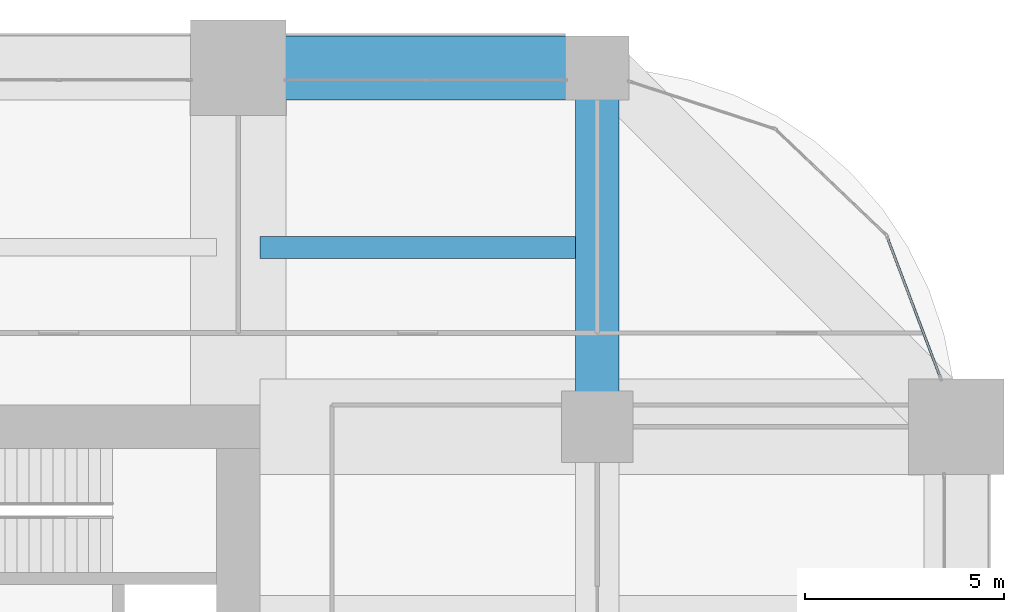
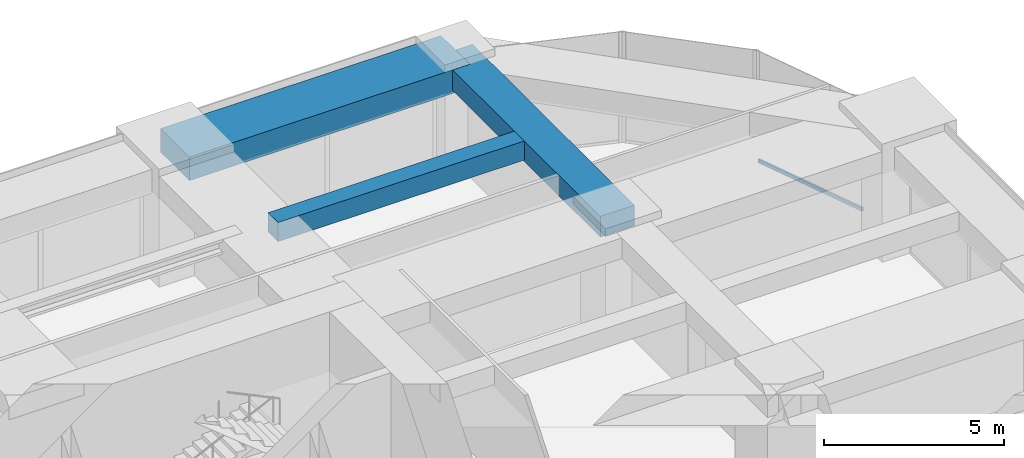
# One storey, part 34 of 43: 3 beams, 1 member, 1 element without a shape of its own.
"""IFC4 building model written with IfcOpenShell, lengths in metres."""

from ifc_helpers import new_model, si_unit, direction, frame, origin, origin_2d, place, context, subcontext, project, spatial, rectangle, hollow_rectangle, extrude, material, material_profile, profile_set, type_object, element, aggregate, save


model = new_model("IFC4")

# Units and contexts
model_context = context("Model", 3, precision=1e-05, world=origin(), true_north=direction((0.0, 1.0)))
body_context = subcontext(model_context, "Body", "Model", "MODEL_VIEW")
ifc_project = project(units=[si_unit("LENGTHUNIT", "METRE"), si_unit("AREAUNIT", "SQUARE_METRE"), si_unit("VOLUMEUNIT", "CUBIC_METRE"), si_unit("PLANEANGLEUNIT", "RADIAN"), si_unit("MASSUNIT", "GRAM", prefix="KILO")], contexts=[model_context])

# Site, building, storey
site_placement = place(None, origin())
site = spatial("IfcSite", under=ifc_project, at=site_placement, CompositionType="ELEMENT")
building_placement = place(site_placement, origin())
building = spatial("IfcBuilding", under=site, at=building_placement, Name="Zorevar Civic Tower", CompositionType="ELEMENT")
storey_placement = place(building_placement, frame((0.0, 0.0, 145.0)))
storey = spatial("IfcBuildingStorey", under=building, at=storey_placement, Name="L35", CompositionType="ELEMENT", Elevation=145.0)

# Beams
ifc_material_1 = material(Name="Concrete C50/60", Category="concrete")
ifc_material_profile_1 = material_profile(ifc_material_1, rectangle(XDim=1.10009765625, YDim=0.699951171875, at=origin_2d()), Name="RC 1100x700")
ifc_profile_set_1 = profile_set([ifc_material_profile_1], Name="Concrete C50/60")
beam_type_1 = type_object("IfcBeamType", Name="Beam RC 1100x700", PredefinedType="BEAM", material=ifc_profile_set_1)
beam_1_placement = place(storey_placement, frame((54.0, 36.0, 3.39990234375), z_axis=(0.0, 1.0, 0.0), x_axis=(-1.0, 0.0, 0.0)))
element("IfcBeam", 1, at=beam_1_placement, inside=storey, type_object=beam_type_1, Name="Girder L36", PredefinedType="BEAM", context=body_context, shape_type="SweptSolid", body=[
    extrude(rectangle(XDim=1.10009765625, YDim=0.699951171875, at=origin_2d()), origin(), (0.0, 0.0, 1.0), 9.0),
])
ifc_material_2 = material(Name="Concrete C50/60", Category="concrete")
ifc_material_profile_2 = material_profile(ifc_material_2, rectangle(XDim=0.550048828125, YDim=0.64990234375, at=origin_2d()), Name="RC 550x650")
ifc_profile_set_2 = profile_set([ifc_material_profile_2], Name="Concrete C50/60")
beam_type_2 = type_object("IfcBeamType", Name="Beam RC 550x650", PredefinedType="BEAM", material=ifc_profile_set_2)
beam_2_placement = place(storey_placement, frame((45.550048828125, 40.5, 3.425048828125), z_axis=(1.0, 0.0, 0.0), x_axis=(0.0, 1.0, 0.0)))
element("IfcBeam", 2, at=beam_2_placement, inside=storey, type_object=beam_type_2, Name="Secondary beam L36", PredefinedType="BEAM", context=body_context, shape_type="SweptSolid", body=[
    extrude(rectangle(XDim=0.550048828125, YDim=0.64990234375, at=origin_2d()), origin(), (0.0, 0.0, 1.0), 7.89990234375),
])

# Curtain wall, member
ifc_material_3 = material(Name="Dark grey solar-control glass in black aluminium frame", Category="aluminium")
curtain_wall_type = type_object("IfcCurtainWallType", Name="Curtain wall CW3 mid zone", PredefinedType="NOTDEFINED", material=ifc_material_3)
curtain_wall_placement = place(storey_placement, origin())
curtain_wall = element("IfcCurtainWall", 3, at=curtain_wall_placement, inside=storey, type_object=curtain_wall_type, Name="CW3 L35", PredefinedType="NOTDEFINED")
ifc_material_4 = material(Name="Aluminium, black anodised", Category="aluminium")
ifc_material_profile_3 = material_profile(ifc_material_4, hollow_rectangle(XDim=0.06005859375, YDim=0.1201171875, WallThickness=0.0029296875, at=origin_2d()), Name="AL 120x60x3")
ifc_profile_set_3 = profile_set([ifc_material_profile_3], Name="Aluminium, black anodised")
member_type = type_object("IfcMemberType", Name="CW3 transom AL 120x60x3", PredefinedType="USERDEFINED", material=ifc_profile_set_3)
member_placement = place(storey_placement, frame((62.595458984375, 37.256103515625, 0.030029296875), z_axis=(-0.353923007857, 0.93527456103, 0.0), x_axis=(-0.93527456103, -0.353923007857, 0.0)))
member = element("IfcMember", 4, at=member_placement, type_object=member_type, Name="CW3 sill transom", ObjectType="TRANSOM", PredefinedType="USERDEFINED", context=body_context, shape_type="SweptSolid", body=[
    extrude(hollow_rectangle(XDim=0.06005859375, YDim=0.1201171875, WallThickness=0.0029296875, at=origin_2d()), origin(), (0.0, 0.0, 1.0), 3.734619140625),
])
aggregate(curtain_wall, [member])

# Beam
ifc_material_5 = material(Name="Concrete C50/60", Category="concrete")
ifc_material_profile_4 = material_profile(ifc_material_5, rectangle(XDim=1.60009765625, YDim=0.800048828125, at=origin_2d()), Name="RC 1600x800")
ifc_profile_set_4 = profile_set([ifc_material_profile_4], Name="Concrete C50/60")
beam_type_3 = type_object("IfcBeamType", Name="Edge beam RC 1600x800", PredefinedType="SPANDREL", material=ifc_profile_set_4)
beam_3_placement = place(storey_placement, frame((45.0, 45.0, 3.35009765625), z_axis=(1.0, 0.0, 0.0), x_axis=(0.0, 1.0, 0.0)))
element("IfcBeam", 5, at=beam_3_placement, inside=storey, type_object=beam_type_3, Name="Edge beam L36", PredefinedType="SPANDREL", context=body_context, shape_type="SweptSolid", body=[
    extrude(rectangle(XDim=1.60009765625, YDim=0.800048828125, at=origin_2d()), origin(), (0.0, 0.0, 1.0), 9.0),
])

save(model, "model.ifc")
